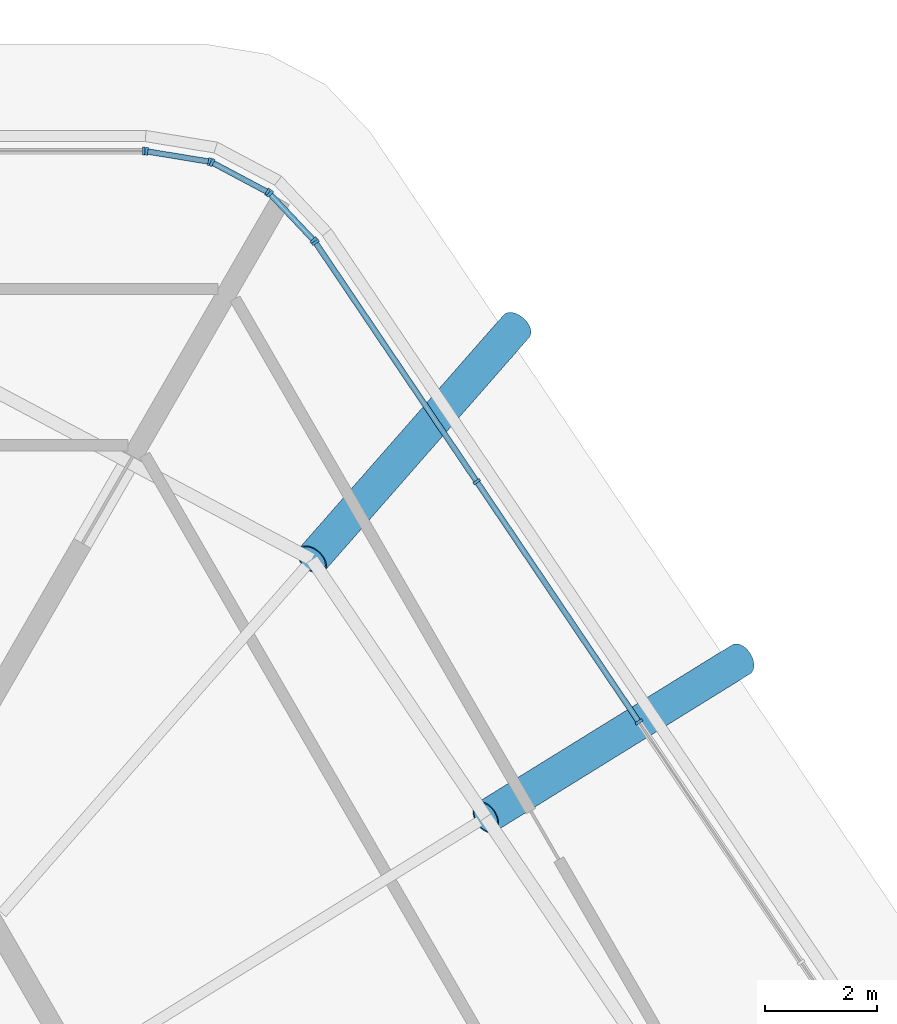
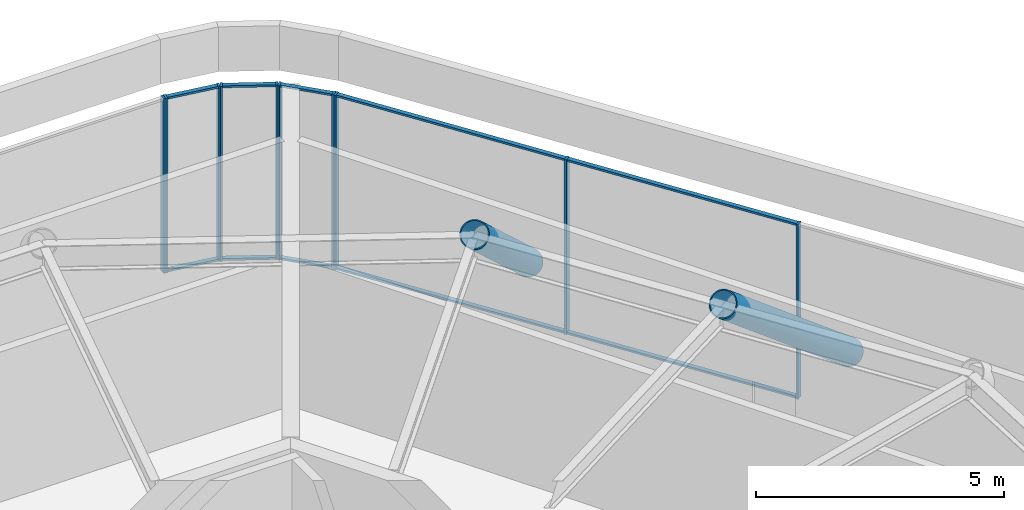
# One storey, part 8 of 13: 22 members, 5 elements without a shape of their own.
"""IFC4 building model written with IfcOpenShell, lengths in metres."""

from ifc_helpers import new_model, si_unit, direction, frame, origin, origin_2d, place, context, subcontext, project, spatial, rectangle, hollow_circle, extrude, material, material_profile, profile_set, type_object, element, aggregate, save


model = new_model("IFC4")

# Units and contexts
model_context = context("Model", 3, precision=1e-05, world=origin(), true_north=direction((0.0, 1.0)))
body_context = subcontext(model_context, "Body", "Model", "MODEL_VIEW")
ifc_project = project(units=[si_unit("LENGTHUNIT", "METRE"), si_unit("AREAUNIT", "SQUARE_METRE"), si_unit("VOLUMEUNIT", "CUBIC_METRE"), si_unit("PLANEANGLEUNIT", "RADIAN"), si_unit("MASSUNIT", "GRAM", prefix="KILO")], contexts=[model_context])

# Site, building, storey
site_placement = place(None, origin())
site = spatial("IfcSite", under=ifc_project, at=site_placement, CompositionType="ELEMENT")
building_placement = place(site_placement, origin())
building = spatial("IfcBuilding", under=site, at=building_placement, Name="Tarnside Tower", CompositionType="ELEMENT")
storey_placement = place(building_placement, frame((0.0, 0.0, 388.199951171875)))
storey = spatial("IfcBuildingStorey", under=building, at=storey_placement, Name="L92", CompositionType="ELEMENT", Elevation=388.199951171875)

# Curtain wall, member
ifc_material_1 = material(Name="Crown glazing wall", Category="glass")
curtain_wall_type = type_object("IfcCurtainWallType", Name="Crown glazing wall", PredefinedType="NOTDEFINED", material=ifc_material_1)
curtain_wall_1_placement = place(storey_placement, origin())
curtain_wall_1 = element("IfcCurtainWall", 1, at=curtain_wall_1_placement, inside=storey, type_object=curtain_wall_type, Name="Crown glazing L92 00", PredefinedType="NOTDEFINED")
ifc_material_2 = material(Name="Aluminium alloy 6063", Category="aluminium")
ifc_material_profile_1 = material_profile(ifc_material_2, rectangle(XDim=0.139892578125, YDim=0.050048828125, at=origin_2d()), Name="Crown glazing mullion 50 x 140")
ifc_profile_set_1 = profile_set([ifc_material_profile_1], Name="Aluminium alloy 6063")
member_type_1 = type_object("IfcMemberType", Name="Crown glazing mullion 50 x 140", PredefinedType="MULLION", material=ifc_profile_set_1)
member_1_placement = place(storey_placement, frame((9.52783203125, 21.6298828125, 0.0), z_axis=(0.0, 0.0, 1.0), x_axis=(0.0, 1.0, 0.0)))
member_1 = element("IfcMember", 2, at=member_1_placement, type_object=member_type_1, Name="CW6 mullion 5", PredefinedType="MULLION", context=body_context, shape_type="SweptSolid", body=[
    extrude(rectangle(XDim=0.139892578125, YDim=0.050048828125, at=origin_2d()), origin(), (0.0, 0.0, 1.0), 4.300048828125),
])
aggregate(curtain_wall_1, [member_1])

# Curtain wall, members
curtain_wall_2_placement = place(storey_placement, origin())
curtain_wall_2 = element("IfcCurtainWall", 3, at=curtain_wall_2_placement, inside=storey, type_object=curtain_wall_type, Name="Crown glazing L92 01", PredefinedType="NOTDEFINED")
member_2_placement = place(storey_placement, frame((9.577392578125, 21.6259765625, 0.0), z_axis=(0.0, 0.0, 1.0), x_axis=(0.162177923324, 0.986761532077, 0.0)))
member_2 = element("IfcMember", 4, at=member_2_placement, type_object=member_type_1, Name="CW6 mullion 1", PredefinedType="MULLION", context=body_context, shape_type="SweptSolid", body=[
    extrude(rectangle(XDim=0.139892578125, YDim=0.050048828125, at=origin_2d()), origin(), (0.0, 0.0, 1.0), 4.300048828125),
])
member_3_placement = place(storey_placement, frame((10.70703125, 21.4404296875, 0.0), z_axis=(0.0, 0.0, 1.0), x_axis=(0.162177923324, 0.986761532077, 0.0)))
member_3 = element("IfcMember", 5, at=member_3_placement, type_object=member_type_1, Name="CW6 mullion 2", PredefinedType="MULLION", context=body_context, shape_type="SweptSolid", body=[
    extrude(rectangle(XDim=0.139892578125, YDim=0.050048828125, at=origin_2d()), origin(), (0.0, 0.0, 1.0), 4.300048828125),
])

curtain_wall_3_placement = place(storey_placement, origin())
curtain_wall_3 = element("IfcCurtainWall", 6, at=curtain_wall_3_placement, inside=storey, type_object=curtain_wall_type, Name="Crown glazing L92 02", PredefinedType="NOTDEFINED")
member_4_placement = place(storey_placement, frame((10.753662109375, 21.424560546875, 0.0), z_axis=(0.0, 0.0, 1.0), x_axis=(0.469471562678, 0.882947592916, 0.0)))
member_4 = element("IfcMember", 7, at=member_4_placement, type_object=member_type_1, Name="CW6 mullion 1", PredefinedType="MULLION", context=body_context, shape_type="SweptSolid", body=[
    extrude(rectangle(XDim=0.139892578125, YDim=0.050048828125, at=origin_2d()), origin(), (0.0, 0.0, 1.0), 4.300048828125),
])
member_5_placement = place(storey_placement, frame((11.748291015625, 20.895751953125, 0.0), z_axis=(0.0, 0.0, 1.0), x_axis=(0.469471562678, 0.882947592916, 0.0)))
member_5 = element("IfcMember", 8, at=member_5_placement, type_object=member_type_1, Name="CW6 mullion 2", PredefinedType="MULLION", context=body_context, shape_type="SweptSolid", body=[
    extrude(rectangle(XDim=0.139892578125, YDim=0.050048828125, at=origin_2d()), origin(), (0.0, 0.0, 1.0), 4.300048828125),
])

curtain_wall_4_placement = place(storey_placement, origin())
curtain_wall_4 = element("IfcCurtainWall", 9, at=curtain_wall_4_placement, inside=storey, type_object=curtain_wall_type, Name="Crown glazing L92 03", PredefinedType="NOTDEFINED")
member_6_placement = place(storey_placement, frame((11.78759765625, 20.86572265625, 0.0), z_axis=(0.0, 0.0, 1.0), x_axis=(0.727373641409, 0.686241638042, 0.0)))
member_6 = element("IfcMember", 10, at=member_6_placement, type_object=member_type_1, Name="CW6 mullion 1", PredefinedType="MULLION", context=body_context, shape_type="SweptSolid", body=[
    extrude(rectangle(XDim=0.139892578125, YDim=0.050048828125, at=origin_2d()), origin(), (0.0, 0.0, 1.0), 4.300048828125),
])
member_7_placement = place(storey_placement, frame((12.572998046875, 20.033203125, 0.0), z_axis=(0.0, 0.0, 1.0), x_axis=(0.727373641409, 0.686241638042, 0.0)))
member_7 = element("IfcMember", 11, at=member_7_placement, type_object=member_type_1, Name="CW6 mullion 2", PredefinedType="MULLION", context=body_context, shape_type="SweptSolid", body=[
    extrude(rectangle(XDim=0.139892578125, YDim=0.050048828125, at=origin_2d()), origin(), (0.0, 0.0, 1.0), 4.300048828125),
])

curtain_wall_5_placement = place(storey_placement, origin())
curtain_wall_5 = element("IfcCurtainWall", 12, at=curtain_wall_5_placement, inside=storey, type_object=curtain_wall_type, Name="Crown glazing L92 04", PredefinedType="NOTDEFINED")
member_8_placement = place(storey_placement, frame((12.604248046875, 19.994140625, 0.0), z_axis=(0.0, 0.0, 1.0), x_axis=(0.829037572555, 0.559192903471, 0.0)))
member_8 = element("IfcMember", 13, at=member_8_placement, type_object=member_type_1, Name="CW6 mullion 1", PredefinedType="MULLION", context=body_context, shape_type="SweptSolid", body=[
    extrude(rectangle(XDim=0.139892578125, YDim=0.050048828125, at=origin_2d()), origin(), (0.0, 0.0, 1.0), 4.300048828125),
])
member_9_placement = place(storey_placement, frame((15.4951171875, 15.708251953125, 0.0), z_axis=(0.0, 0.0, 1.0), x_axis=(0.829037572555, 0.559192903471, 0.0)))
member_9 = element("IfcMember", 14, at=member_9_placement, type_object=member_type_1, Name="CW6 mullion 2", PredefinedType="MULLION", context=body_context, shape_type="SweptSolid", body=[
    extrude(rectangle(XDim=0.139892578125, YDim=0.050048828125, at=origin_2d()), origin(), (0.0, 0.0, 1.0), 4.300048828125),
])
member_10_placement = place(storey_placement, frame((18.400146484375, 11.4013671875, 0.0), z_axis=(0.0, 0.0, 1.0), x_axis=(0.829037572555, 0.559192903471, 0.0)))
member_10 = element("IfcMember", 15, at=member_10_placement, type_object=member_type_1, Name="CW6 mullion 3", PredefinedType="MULLION", context=body_context, shape_type="SweptSolid", body=[
    extrude(rectangle(XDim=0.139892578125, YDim=0.050048828125, at=origin_2d()), origin(), (0.0, 0.0, 1.0), 4.300048828125),
])

# Member
ifc_material_profile_2 = material_profile(ifc_material_2, rectangle(XDim=0.10009765625, YDim=0.050048828125, at=origin_2d()), Name="Crown glazing transom 50 x 100")
ifc_profile_set_2 = profile_set([ifc_material_profile_2], Name="Aluminium alloy 6063")
member_type_2 = type_object("IfcMemberType", Name="Crown glazing transom 50 x 100", PredefinedType="USERDEFINED", material=ifc_profile_set_2)
member_11_placement = place(storey_placement, frame((9.60205078125, 21.621826171875, 0.025146484375), z_axis=(0.98677099408, -0.162120341852, 0.0), x_axis=(0.162120341852, 0.98677099408, 0.0)))
member_11 = element("IfcMember", 16, at=member_11_placement, type_object=member_type_2, Name="CW6 transom 1.1", ObjectType="TRANSOM", PredefinedType="USERDEFINED", context=body_context, shape_type="SweptSolid", body=[
    extrude(rectangle(XDim=0.10009765625, YDim=0.050048828125, at=origin_2d()), origin(), (0.0, 0.0, 1.0), 1.0947265625),
])

member_12_placement = place(storey_placement, frame((9.60205078125, 21.621826171875, 4.275146484375), z_axis=(0.98677099408, -0.162120341852, 0.0), x_axis=(0.162120341852, 0.98677099408, 0.0)))
member_12 = element("IfcMember", 17, at=member_12_placement, type_object=member_type_2, Name="CW6 transom 1.2", ObjectType="TRANSOM", PredefinedType="USERDEFINED", context=body_context, shape_type="SweptSolid", body=[
    extrude(rectangle(XDim=0.10009765625, YDim=0.050048828125, at=origin_2d()), origin(), (0.0, 0.0, 1.0), 1.0947265625),
])

aggregate(curtain_wall_2, [member_2, member_3, member_11, member_12])

member_13_placement = place(storey_placement, frame((10.77587890625, 21.412841796875, 0.025146484375), z_axis=(0.882942404878, -0.46948131983, 0.0), x_axis=(0.46948131983, 0.882942404878, 0.0)))
member_13 = element("IfcMember", 18, at=member_13_placement, type_object=member_type_2, Name="CW6 transom 1.1", ObjectType="TRANSOM", PredefinedType="USERDEFINED", context=body_context, shape_type="SweptSolid", body=[
    extrude(rectangle(XDim=0.10009765625, YDim=0.050048828125, at=origin_2d()), origin(), (0.0, 0.0, 1.0), 1.076416015625),
])

member_14_placement = place(storey_placement, frame((10.77587890625, 21.412841796875, 4.275146484375), z_axis=(0.882942404878, -0.46948131983, 0.0), x_axis=(0.46948131983, 0.882942404878, 0.0)))
member_14 = element("IfcMember", 19, at=member_14_placement, type_object=member_type_2, Name="CW6 transom 1.2", ObjectType="TRANSOM", PredefinedType="USERDEFINED", context=body_context, shape_type="SweptSolid", body=[
    extrude(rectangle(XDim=0.10009765625, YDim=0.050048828125, at=origin_2d()), origin(), (0.0, 0.0, 1.0), 1.076416015625),
])

aggregate(curtain_wall_3, [member_4, member_5, member_13, member_14])

member_15_placement = place(storey_placement, frame((11.8046875, 20.84765625, 0.025146484375), z_axis=(0.686178127123, -0.727433555631, 0.0), x_axis=(0.727433555631, 0.686178127123, 0.0)))
member_15 = element("IfcMember", 20, at=member_15_placement, type_object=member_type_2, Name="CW6 transom 1.1", ObjectType="TRANSOM", PredefinedType="USERDEFINED", context=body_context, shape_type="SweptSolid", body=[
    extrude(rectangle(XDim=0.10009765625, YDim=0.050048828125, at=origin_2d()), origin(), (0.0, 0.0, 1.0), 1.0947265625),
])

member_16_placement = place(storey_placement, frame((11.8046875, 20.84765625, 4.275146484375), z_axis=(0.686178127123, -0.727433555631, 0.0), x_axis=(0.727433555631, 0.686178127123, 0.0)))
member_16 = element("IfcMember", 21, at=member_16_placement, type_object=member_type_2, Name="CW6 transom 1.2", ObjectType="TRANSOM", PredefinedType="USERDEFINED", context=body_context, shape_type="SweptSolid", body=[
    extrude(rectangle(XDim=0.10009765625, YDim=0.050048828125, at=origin_2d()), origin(), (0.0, 0.0, 1.0), 1.0947265625),
])

aggregate(curtain_wall_4, [member_6, member_7, member_15, member_16])

member_17_placement = place(storey_placement, frame((12.6181640625, 19.9736328125, 0.025146484375), z_axis=(0.559170631847, -0.829052594519, 0.0), x_axis=(0.829052594519, 0.559170631847, 0.0)))
member_17 = element("IfcMember", 22, at=member_17_placement, type_object=member_type_2, Name="CW6 transom 1.1", ObjectType="TRANSOM", PredefinedType="USERDEFINED", context=body_context, shape_type="SweptSolid", body=[
    extrude(rectangle(XDim=0.10009765625, YDim=0.050048828125, at=origin_2d()), origin(), (0.0, 0.0, 1.0), 5.1201171875),
])

member_18_placement = place(storey_placement, frame((12.6181640625, 19.9736328125, 4.275146484375), z_axis=(0.559170631847, -0.829052594519, 0.0), x_axis=(0.829052594519, 0.559170631847, 0.0)))
member_18 = element("IfcMember", 23, at=member_18_placement, type_object=member_type_2, Name="CW6 transom 1.2", ObjectType="TRANSOM", PredefinedType="USERDEFINED", context=body_context, shape_type="SweptSolid", body=[
    extrude(rectangle(XDim=0.10009765625, YDim=0.050048828125, at=origin_2d()), origin(), (0.0, 0.0, 1.0), 5.1201171875),
])

member_19_placement = place(storey_placement, frame((15.50927734375, 15.6875, 0.025146484375), z_axis=(0.559181870059, -0.829045014579, 0.0), x_axis=(0.829045014579, 0.559181870059, 0.0)))
member_19 = element("IfcMember", 24, at=member_19_placement, type_object=member_type_2, Name="CW6 transom 2.1", ObjectType="TRANSOM", PredefinedType="USERDEFINED", context=body_context, shape_type="SweptSolid", body=[
    extrude(rectangle(XDim=0.10009765625, YDim=0.050048828125, at=origin_2d()), origin(), (0.0, 0.0, 1.0), 5.14501953125),
])

member_20_placement = place(storey_placement, frame((15.50927734375, 15.6875, 4.275146484375), z_axis=(0.559181870059, -0.829045014579, 0.0), x_axis=(0.829045014579, 0.559181870059, 0.0)))
member_20 = element("IfcMember", 25, at=member_20_placement, type_object=member_type_2, Name="CW6 transom 2.2", ObjectType="TRANSOM", PredefinedType="USERDEFINED", context=body_context, shape_type="SweptSolid", body=[
    extrude(rectangle(XDim=0.10009765625, YDim=0.050048828125, at=origin_2d()), origin(), (0.0, 0.0, 1.0), 5.14501953125),
])

aggregate(curtain_wall_5, [member_8, member_9, member_10, member_17, member_18, member_19, member_20])

# Members
ifc_material_3 = material(Name="Steel S355", Category="steel")
ifc_material_profile_3 = material_profile(ifc_material_3, hollow_circle(Radius=0.304931640625, WallThickness=0.02490234375, at=origin_2d()), Name="CHS 610x25")
ifc_profile_set_3 = profile_set([ifc_material_profile_3], Name="Steel S355")
member_type_3 = type_object("IfcMemberType", Name="Truss diagonal CHS 610x25", PredefinedType="BRACE", material=ifc_profile_set_3)
member_21_placement = place(storey_placement, frame((20.231201171875, 12.5224609375, -0.199951171875), z_axis=(-0.652167526656, -0.403679654057, 0.641654310416), x_axis=(0.526313988441, -0.850290294882, 0.0)))
element("IfcMember", 26, at=member_21_placement, inside=storey, type_object=member_type_3, Name="Crown leg L92 17", PredefinedType="BRACE", context=body_context, shape_type="SweptSolid", body=[
    extrude(hollow_circle(Radius=0.304931640625, WallThickness=0.02490234375, at=origin_2d()), origin(), (0.0, 0.0, 1.0), 7.01318359375),
])
member_22_placement = place(storey_placement, frame((16.205078125, 18.49169921875, -0.199951171875), z_axis=(-0.512251607095, -0.584552613614, 0.629203093561), x_axis=(0.752086758712, -0.659064114765, 0.0)))
element("IfcMember", 27, at=member_22_placement, inside=storey, type_object=member_type_3, Name="Crown leg L92 18", PredefinedType="BRACE", context=body_context, shape_type="SweptSolid", body=[
    extrude(hollow_circle(Radius=0.304931640625, WallThickness=0.02490234375, at=origin_2d()), origin(), (0.0, 0.0, 1.0), 7.15185546875),
])

save(model, "model.ifc")
